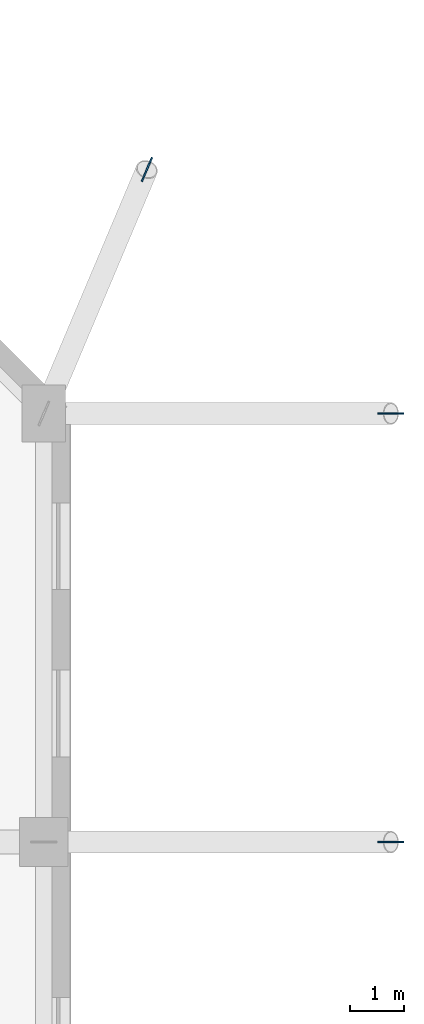
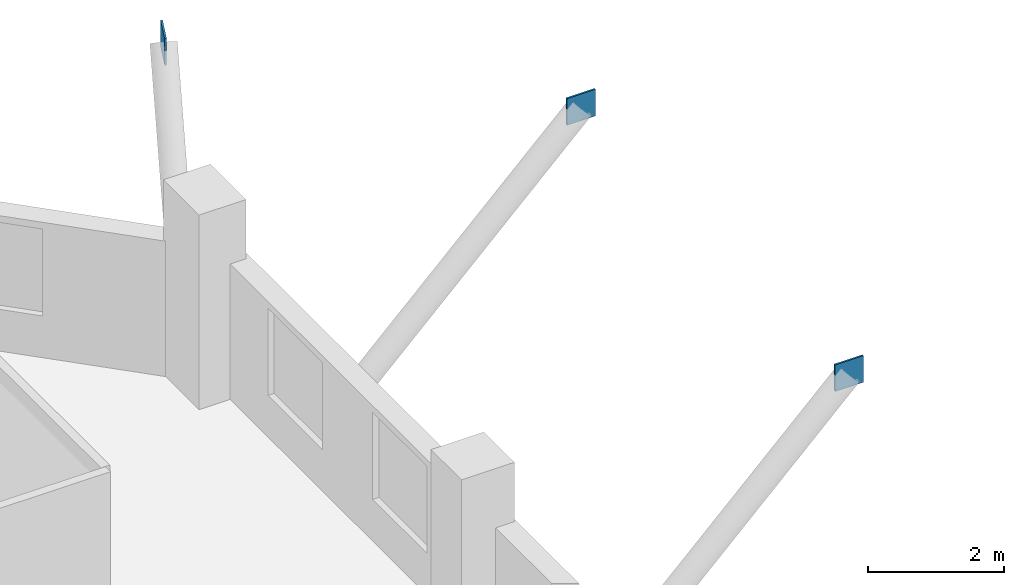
# One storey, part 4 of 14: 3 plates.
"""IFC4 building model written with IfcOpenShell, lengths in metres."""

from ifc_helpers import new_model, si_unit, direction, frame, origin, origin_2d, place, context, subcontext, project, spatial, rectangle, extrude, material, layer, layer_set, type_object, element, save


model = new_model("IFC4")

# Units and contexts
model_context = context("Model", 3, precision=1e-05, world=origin(), true_north=direction((0.0, 1.0)))
body_context = subcontext(model_context, "Body", "Model", "MODEL_VIEW")
ifc_project = project(units=[si_unit("LENGTHUNIT", "METRE"), si_unit("AREAUNIT", "SQUARE_METRE"), si_unit("VOLUMEUNIT", "CUBIC_METRE"), si_unit("PLANEANGLEUNIT", "RADIAN"), si_unit("MASSUNIT", "GRAM", prefix="KILO")], contexts=[model_context])

# Site, building, storey
site_placement = place(None, origin())
site = spatial("IfcSite", under=ifc_project, at=site_placement, CompositionType="ELEMENT")
building_placement = place(site_placement, origin())
building = spatial("IfcBuilding", under=site, at=building_placement, Name="Kranthara Brick Stack", CompositionType="ELEMENT")
storey_placement = place(building_placement, frame((0.0, 0.0, 137.800048828125)))
storey = spatial("IfcBuildingStorey", under=building, at=storey_placement, Name="L34", CompositionType="ELEMENT", Elevation=137.800048828125)

# Plates
ifc_material = material(Name="Steel S355", Category="steel")
ifc_layer = layer(ifc_material, 0.030029296875)
ifc_layer_set = layer_set([ifc_layer], Name="Steel S355")
plate_type = type_object("IfcPlateType", Name="PLT-GUSSET-30", PredefinedType="USERDEFINED", material=ifc_layer_set)
for number, where, z_axis, x_axis, name in (
    (1, (50.699951171875, 46.0, 2.510009765625), (0.0, 0.0, 1.0), (0.38912395014, 0.921185405566, 0.0), "L34 Brace and Strut End Connection Gusset Plate 060"),
    (2, (55.199951171875, 33.60009765625, 2.510009765625), (0.0, 0.0, 1.0), (1.0, 0.0, 0.0), "L34 Brace and Strut End Connection Gusset Plate 065"),
    (3, (55.199951171875, 41.5, 2.510009765625), (0.0, 0.0, 1.0), (1.0, 0.0, 0.0), "L34 Brace and Strut End Connection Gusset Plate 066"),
):
    element("IfcPlate", number, at=place(storey_placement, frame(where, z_axis=z_axis, x_axis=x_axis)), inside=storey, type_object=plate_type, Name=name, ObjectType="GUSSET PLATE", PredefinedType="USERDEFINED", context=body_context, shape_type="SweptSolid", body=[
        extrude(rectangle(XDim=0.47998046875, YDim=0.030029296875, at=origin_2d()), origin(), (0.0, 0.0, 1.0), 0.47998046875),
    ])

save(model, "model.ifc")
